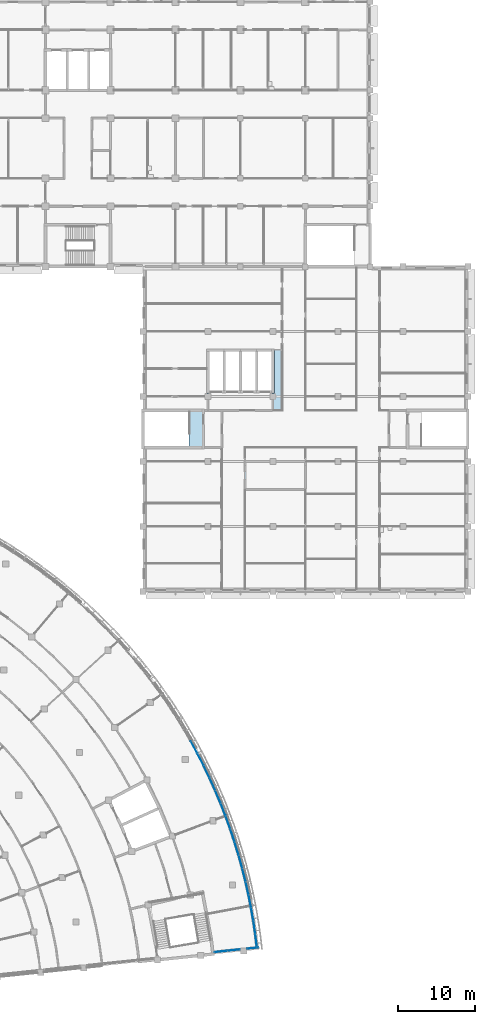
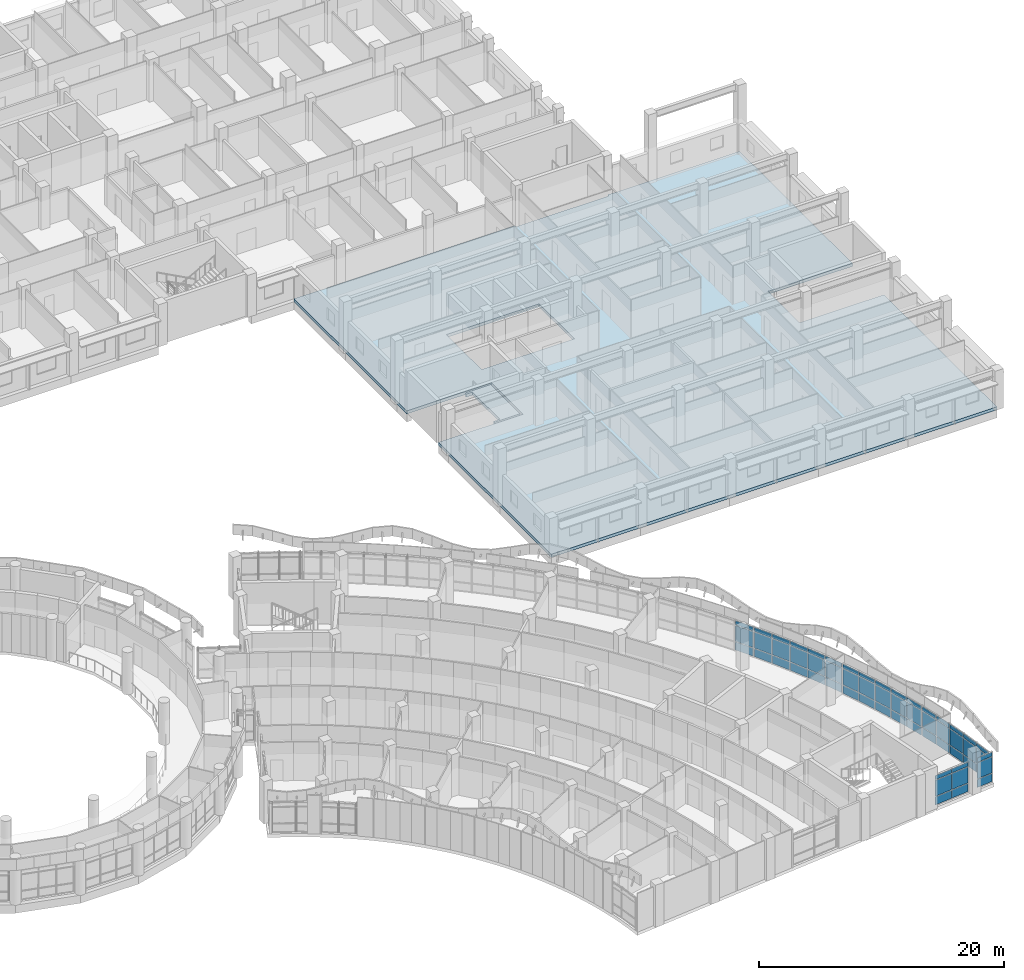
# One storey, part 42 of 109: 57 plates, 2 slabs, 6 elements without a shape of their own.
"""IFC4 building model written with IfcOpenShell, lengths in metres."""

import ifcopenshell
import ifcopenshell.guid

model = None  # the IFC model being written
_history = None  # IfcOwnerHistory: only IFC2X3 demands one
_inside = {}  # id of a spatial element -> (the spatial element, [elements in it])
_under = {}  # id of a project, library or spatial element -> (it, [spatial elements below it])
_declared = {}  # id of a project -> (the project, [libraries it declares])
_typed = {}  # id of a type object -> (the type object, [elements of that type])
_made_of = {}  # id of a material, layer set ... -> (it, [elements and type objects made of it])


def new_model(schema):
    """Start an empty IFC model of exactly this schema.

    Asked for "IFC4X3", IfcOpenShell would pick the latest addendum, in which some entities
    have other attributes; the version numbers below select the first issue.
    IFC2X3 requires an IfcOwnerHistory on every rooted entity: one is made here for all.
    """
    global model, _history
    if schema == "IFC4X3":
        model = ifcopenshell.file(schema_version=(4, 3, 0, 0))
    else:
        model = ifcopenshell.file(schema=schema)
    _inside.clear()
    _under.clear()
    _declared.clear()
    _typed.clear()
    _made_of.clear()
    _history = None
    if model.schema == "IFC2X3":
        org = make("IfcOrganization", Name="unknown")
        user = make(
            "IfcPersonAndOrganization",
            ThePerson=make("IfcPerson", FamilyName="unknown"),
            TheOrganization=org,
        )
        app = make(
            "IfcApplication",
            ApplicationDeveloper=org,
            Version="unknown",
            ApplicationFullName="unknown",
            ApplicationIdentifier="unknown",
        )
        _history = make(
            "IfcOwnerHistory",
            OwningUser=user,
            OwningApplication=app,
            ChangeAction="ADDED",
            CreationDate=0,
        )
    return model


def make(cls, **values):
    """One entity of the class cls with the attributes given. An attribute that is None is left unset."""
    return model.create_entity(
        cls, **{name: value for name, value in values.items() if value is not None}
    )


def rooted(cls, **values):
    """An entity with a GlobalId (a new one), such as an element, a storey or a relation."""
    return make(cls, GlobalId=ifcopenshell.guid.new(), OwnerHistory=_history, **values)


def si_unit(unit_type, name, prefix=None):
    """IfcSIUnit, for example si_unit("LENGTHUNIT", "METRE", prefix="MILLI")."""
    return make("IfcSIUnit", UnitType=unit_type, Prefix=prefix, Name=name)


def assignment(units):
    """IfcUnitAssignment: the units of a project."""
    return None if units is None else make("IfcUnitAssignment", Units=units)


def point(xyz):
    """IfcCartesianPoint."""
    return None if xyz is None else make("IfcCartesianPoint", Coordinates=xyz)


def direction(xyz):
    """IfcDirection."""
    return None if xyz is None else make("IfcDirection", DirectionRatios=xyz)


def frame(location, z_axis=None, x_axis=None):
    """IfcAxis2Placement3D, a coordinate frame: its origin and axes. An axis left out is left unset."""
    return make(
        "IfcAxis2Placement3D",
        Location=point(location),
        Axis=direction(z_axis),
        RefDirection=direction(x_axis),
    )


def frame_2d(location, x_axis=None):
    """IfcAxis2Placement2D, a coordinate frame in the plane: its origin and x axis."""
    return make(
        "IfcAxis2Placement2D", Location=point(location), RefDirection=direction(x_axis)
    )


def origin():
    """The frame at (0, 0, 0) with its axes left unset."""
    return frame((0.0, 0.0, 0.0))


def origin_2d():
    """The frame at (0, 0) in the plane with its x axis left unset."""
    return frame_2d((0.0, 0.0))


def place(relative_to, where):
    """IfcLocalPlacement: puts the frame where relative to a parent placement (None: the world)."""
    return make(
        "IfcLocalPlacement", PlacementRelTo=relative_to, RelativePlacement=where
    )


def context(
    kind, dimensions, precision=None, world=None, true_north=None, identifier=None
):
    """IfcGeometricRepresentationContext, for example the 3D "Model" context."""
    return make(
        "IfcGeometricRepresentationContext",
        ContextIdentifier=identifier,
        ContextType=kind,
        CoordinateSpaceDimension=dimensions,
        Precision=precision,
        WorldCoordinateSystem=world,
        TrueNorth=true_north,
    )


def subcontext(parent, identifier, kind, view, scale=None):
    """IfcGeometricRepresentationSubContext, for example "Body" below "Model"."""
    return make(
        "IfcGeometricRepresentationSubContext",
        ContextIdentifier=identifier,
        ContextType=kind,
        ParentContext=parent,
        TargetScale=scale,
        TargetView=view,
    )


def project(units=None, contexts=None):
    """IfcProject with its units and contexts."""
    return rooted(
        "IfcProject",
        Name="project",
        RepresentationContexts=contexts,
        UnitsInContext=assignment(units),
    )


def spatial(cls, under=None, at=None, **own):
    """A site, building, storey or space (cls), placed at a placement, below another one or the project."""
    s = rooted(cls, ObjectPlacement=at, **own)
    if under is not None:
        _under.setdefault(under.id(), (under, []))[1].append(s)
    return s


def polyline(points):
    """IfcPolyline through the points."""
    return make("IfcPolyline", Points=[point(p) for p in points])


def profile(cls, at=None, kind="AREA", **sizes):
    """A parametric profile (cls). Its sizes go by their IFC names, for example OverallWidth=200.0."""
    return make(cls, ProfileType=kind, Position=at, **sizes)


def rectangle(**sizes):
    """IfcRectangleProfileDef."""
    return profile("IfcRectangleProfileDef", **sizes)


def outline(outer, holes=None, kind="AREA"):
    """IfcArbitraryClosedProfileDef: a profile drawn as a closed curve; with holes, ...WithVoids."""
    if holes is None:
        return make("IfcArbitraryClosedProfileDef", ProfileType=kind, OuterCurve=outer)
    return make(
        "IfcArbitraryProfileDefWithVoids",
        ProfileType=kind,
        OuterCurve=outer,
        InnerCurves=holes,
    )


def extrude(swept, where, along, depth):
    """IfcExtrudedAreaSolid: the profile swept, set in the frame where, extruded along a direction by depth."""
    return make(
        "IfcExtrudedAreaSolid",
        SweptArea=swept,
        Position=where,
        ExtrudedDirection=direction(along),
        Depth=depth,
    )


def shape(context_of_items, identifier, shape_type, items):
    """IfcShapeRepresentation: the items that make up one representation, for example the "Body"."""
    return make(
        "IfcShapeRepresentation",
        ContextOfItems=context_of_items,
        RepresentationIdentifier=identifier,
        RepresentationType=shape_type,
        Items=items,
    )


def material(Name=None, Category=None):
    """IfcMaterial."""
    return make("IfcMaterial", Name=Name, Category=Category)


def layer(
    of_material, thickness, ventilated=None, Name=None, Category=None, Priority=None
):
    """IfcMaterialLayer: one layer of a wall or slab, of a material (None: an air gap)."""
    return make(
        "IfcMaterialLayer",
        Material=of_material,
        LayerThickness=thickness,
        IsVentilated=ventilated,
        Name=Name,
        Category=Category,
        Priority=Priority,
    )


def layer_set(layers, Name=None):
    """IfcMaterialLayerSet."""
    return make("IfcMaterialLayerSet", MaterialLayers=layers, LayerSetName=Name)


def made_of(thing, what):
    """Note that an element or type object is made of a material, layer set ...; save() writes the relation."""
    if what is not None:
        _made_of.setdefault(what.id(), (what, []))[1].append(thing)
    return thing


def type_object(cls, material=None, **own):
    """A type object (cls), such as IfcWallType, which elements share."""
    return made_of(rooted(cls, **own), material)


def element(
    cls,
    number,
    at=None,
    inside=None,
    cuts=None,
    type_object=None,
    material=None,
    context=None,
    identifier="Body",
    shape_type=None,
    held_by="IfcProductDefinitionShape",
    body=None,
    shapes=None,
    **own,
):
    """One element of the class cls, such as IfcWall. Its Tag is "e" and its number.

    at: its placement. inside: the storey or other place that contains it. cuts: it is an
    opening in that element (IfcRelVoidsElement). A single representation is given by context,
    identifier, shape_type and body (its items); several are given by shapes. held_by: the class
    of the entity that holds the representations. save() writes the other relations.
    """
    e = rooted(cls, Tag="e%d" % number, ObjectPlacement=at, **own)
    if body is not None:
        shapes = [shape(context, identifier, shape_type, body)]
    if shapes is not None:
        e.Representation = make(held_by, Representations=shapes)
    if inside is not None:
        _inside.setdefault(inside.id(), (inside, []))[1].append(e)
    if cuts is not None:
        rooted(
            "IfcRelVoidsElement", RelatingBuildingElement=cuts, RelatedOpeningElement=e
        )
    if type_object is not None:
        _typed.setdefault(type_object.id(), (type_object, []))[1].append(e)
    return made_of(e, material)


def aggregate(whole, parts):
    """IfcRelAggregates: a whole, such as a stair, and the parts it consists of."""
    return rooted("IfcRelAggregates", RelatingObject=whole, RelatedObjects=parts)


def save(model, path):
    """Write the relations noted so far, then the file.

    IfcRelAggregates (storeys below a building ...), IfcRelContainedInSpatialStructure (elements
    in a storey), IfcRelDefinesByType, IfcRelAssociatesMaterial and IfcRelDeclares: one each for
    every whole, place, type object, material and project.
    """
    for whole, parts in _under.values():
        aggregate(whole, parts)
    for where, things in _inside.values():
        rooted(
            "IfcRelContainedInSpatialStructure",
            RelatedElements=things,
            RelatingStructure=where,
        )
    for kind, things in _typed.values():
        rooted("IfcRelDefinesByType", RelatedObjects=things, RelatingType=kind)
    for what, things in _made_of.values():
        rooted("IfcRelAssociatesMaterial", RelatedObjects=things, RelatingMaterial=what)
    for by, libraries in _declared.values():
        rooted("IfcRelDeclares", RelatingContext=by, RelatedDefinitions=libraries)
    model.write(path)


model = new_model("IFC4")

# Units and contexts
model_context = context("Model", 3, precision=1e-05, world=origin(), true_north=direction((0.0, 1.0)))
body_context = subcontext(model_context, "Body", "Model", "MODEL_VIEW")
ifc_project = project(units=[si_unit("LENGTHUNIT", "METRE"), si_unit("AREAUNIT", "SQUARE_METRE"), si_unit("VOLUMEUNIT", "CUBIC_METRE"), si_unit("PLANEANGLEUNIT", "RADIAN"), si_unit("MASSUNIT", "GRAM", prefix="KILO")], contexts=[model_context])

# Site, building, storey
site_placement = place(None, origin())
site = spatial("IfcSite", under=ifc_project, at=site_placement, CompositionType="ELEMENT")
building_placement = place(site_placement, origin())
building = spatial("IfcBuilding", under=site, at=building_placement, Name="Bougainvillea Quay General Hospital", CompositionType="ELEMENT")
storey_placement = place(building_placement, frame((0.0, 0.0, 12.60009765625)))
storey = spatial("IfcBuildingStorey", under=building, at=storey_placement, Name="L02", CompositionType="ELEMENT", Elevation=12.60009765625)

# Curtain wall, plates
ifc_material_1 = material(Name="Aluminium curtain wall system, powder-coated glazed", Category="aluminium")
curtain_wall_type_1 = type_object("IfcCurtainWallType", Name="Unitised curtain wall CW-1703", PredefinedType="NOTDEFINED", material=ifc_material_1)
curtain_wall_1_placement = place(storey_placement, origin())
curtain_wall_1 = element("IfcCurtainWall", 1, at=curtain_wall_1_placement, inside=storey, type_object=curtain_wall_type_1, Name="CW-AE 04", PredefinedType="NOTDEFINED")
ifc_material_2 = material(Name="Insulated aluminium spandrel panel, white", Category="aluminium")
ifc_layer_1 = layer(ifc_material_2, 0.028076171875)
ifc_layer_set_1 = layer_set([ifc_layer_1], Name="Insulated aluminium spandrel panel, white")
plate_type_1 = type_object("IfcPlateType", Name="Insulated spandrel panel white 28", PredefinedType="CURTAIN_PANEL", material=ifc_layer_set_1)
plate_1_placement = place(storey_placement, frame((173.85888671875, 29.04736328125, 0.059814453125), z_axis=(0.0, 0.0, 1.0), x_axis=(0.9945220309, 0.104527173765, 0.0)))
plate_1 = element("IfcPlate", 2, at=plate_1_placement, type_object=plate_type_1, Name="CW-AE spandrel panel 1.1", PredefinedType="CURTAIN_PANEL", context=body_context, shape_type="SweptSolid", body=[
    extrude(rectangle(XDim=1.612548828125, YDim=0.028076171875, at=origin_2d()), origin(), (0.0, 0.0, 1.0), 0.81005859375),
])
plate_2_placement = place(storey_placement, frame((173.85888671875, 29.04736328125, 2.580078125), z_axis=(0.0, 0.0, 1.0), x_axis=(0.9945220309, 0.104527173765, 0.0)))
plate_2 = element("IfcPlate", 3, at=plate_2_placement, type_object=plate_type_1, Name="CW-AE spandrel panel 1.3", PredefinedType="CURTAIN_PANEL", context=body_context, shape_type="SweptSolid", body=[
    extrude(rectangle(XDim=1.612548828125, YDim=0.028076171875, at=origin_2d()), origin(), (0.0, 0.0, 1.0), 0.409912109375),
])
plate_3_placement = place(storey_placement, frame((175.522216796875, 29.22216796875, 0.059814453125), z_axis=(0.0, 0.0, 1.0), x_axis=(0.9945220309, 0.104527173765, 0.0)))
plate_3 = element("IfcPlate", 4, at=plate_3_placement, type_object=plate_type_1, Name="CW-AE spandrel panel 2.1", PredefinedType="CURTAIN_PANEL", context=body_context, shape_type="SweptSolid", body=[
    extrude(rectangle(XDim=1.612548828125, YDim=0.028076171875, at=origin_2d()), origin(), (0.0, 0.0, 1.0), 0.81005859375),
])
plate_4_placement = place(storey_placement, frame((175.522216796875, 29.22216796875, 2.580078125), z_axis=(0.0, 0.0, 1.0), x_axis=(0.9945220309, 0.104527173765, 0.0)))
plate_4 = element("IfcPlate", 5, at=plate_4_placement, type_object=plate_type_1, Name="CW-AE spandrel panel 2.3", PredefinedType="CURTAIN_PANEL", context=body_context, shape_type="SweptSolid", body=[
    extrude(rectangle(XDim=1.612548828125, YDim=0.028076171875, at=origin_2d()), origin(), (0.0, 0.0, 1.0), 0.409912109375),
])

curtain_wall_type_2 = type_object("IfcCurtainWallType", Name="Unitised curtain wall CW-1581", PredefinedType="NOTDEFINED", material=ifc_material_1)
curtain_wall_2_placement = place(storey_placement, origin())
curtain_wall_2 = element("IfcCurtainWall", 6, at=curtain_wall_2_placement, inside=storey, type_object=curtain_wall_type_2, Name="CW-AE 05", PredefinedType="NOTDEFINED")
plate_5_placement = place(storey_placement, frame((178.0048828125, 29.48291015625, 0.059814453125), z_axis=(0.0, 0.0, 1.0), x_axis=(0.9945220309, 0.104527173765, 0.0)))
plate_5 = element("IfcPlate", 7, at=plate_5_placement, type_object=plate_type_1, Name="CW-AE spandrel panel 1.1", PredefinedType="CURTAIN_PANEL", context=body_context, shape_type="SweptSolid", body=[
    extrude(rectangle(XDim=1.46044921875, YDim=0.028076171875, at=origin_2d()), origin(), (0.0, 0.0, 1.0), 0.81005859375),
])
plate_6_placement = place(storey_placement, frame((178.0048828125, 29.48291015625, 2.580078125), z_axis=(0.0, 0.0, 1.0), x_axis=(0.9945220309, 0.104527173765, 0.0)))
plate_6 = element("IfcPlate", 8, at=plate_6_placement, type_object=plate_type_1, Name="CW-AE spandrel panel 1.3", PredefinedType="CURTAIN_PANEL", context=body_context, shape_type="SweptSolid", body=[
    extrude(rectangle(XDim=1.46044921875, YDim=0.028076171875, at=origin_2d()), origin(), (0.0, 0.0, 1.0), 0.409912109375),
])

curtain_wall_type_3 = type_object("IfcCurtainWallType", Name="Unitised curtain wall CW-2100", PredefinedType="NOTDEFINED", material=ifc_material_1)
curtain_wall_3_placement = place(storey_placement, origin())
curtain_wall_3 = element("IfcCurtainWall", 9, at=curtain_wall_3_placement, inside=storey, type_object=curtain_wall_type_3, Name="CW-E05 a23b4", PredefinedType="NOTDEFINED")
plate_7_placement = place(storey_placement, frame((170.385986328125, 55.4755859375, 0.059814453125), z_axis=(0.0, 0.0, 1.0), x_axis=(0.479782535044, -0.877387439543, 0.0)))
plate_7 = element("IfcPlate", 10, at=plate_7_placement, type_object=plate_type_1, Name="CW-E05 spandrel panel 5.1", PredefinedType="CURTAIN_PANEL", context=body_context, shape_type="SweptSolid", body=[
    extrude(rectangle(XDim=1.690185546875, YDim=0.028076171875, at=origin_2d()), origin(), (0.0, 0.0, 1.0), 0.81005859375),
])
plate_8_placement = place(storey_placement, frame((170.385986328125, 55.4755859375, 2.580078125), z_axis=(0.0, 0.0, 1.0), x_axis=(0.479782535044, -0.877387439543, 0.0)))
plate_8 = element("IfcPlate", 11, at=plate_8_placement, type_object=plate_type_1, Name="CW-E05 spandrel panel 5.3", PredefinedType="CURTAIN_PANEL", context=body_context, shape_type="SweptSolid", body=[
    extrude(rectangle(XDim=1.690185546875, YDim=0.028076171875, at=origin_2d()), origin(), (0.0, 0.0, 1.0), 0.409912109375),
])

curtain_wall_4_placement = place(storey_placement, origin())
curtain_wall_4 = element("IfcCurtainWall", 12, at=curtain_wall_4_placement, inside=storey, type_object=curtain_wall_type_3, Name="CW-E06 a23b5", PredefinedType="NOTDEFINED")
plate_9_placement = place(storey_placement, frame((171.234130859375, 53.87646484375, 0.059814453125), z_axis=(0.0, 0.0, 1.0), x_axis=(0.457234526215, -0.889346157599, 0.0)))
plate_9 = element("IfcPlate", 13, at=plate_9_placement, type_object=plate_type_1, Name="CW-E06 spandrel panel 1.1", PredefinedType="CURTAIN_PANEL", context=body_context, shape_type="SweptSolid", body=[
    extrude(rectangle(XDim=1.690185546875, YDim=0.028076171875, at=origin_2d()), origin(), (0.0, 0.0, 1.0), 0.81005859375),
])
plate_10_placement = place(storey_placement, frame((171.234130859375, 53.87646484375, 2.580078125), z_axis=(0.0, 0.0, 1.0), x_axis=(0.457234526215, -0.889346157599, 0.0)))
plate_10 = element("IfcPlate", 14, at=plate_10_placement, type_object=plate_type_1, Name="CW-E06 spandrel panel 1.3", PredefinedType="CURTAIN_PANEL", context=body_context, shape_type="SweptSolid", body=[
    extrude(rectangle(XDim=1.690185546875, YDim=0.028076171875, at=origin_2d()), origin(), (0.0, 0.0, 1.0), 0.409912109375),
])
plate_11_placement = place(storey_placement, frame((172.02099609375, 52.29638671875, 0.059814453125), z_axis=(0.0, 0.0, 1.0), x_axis=(0.434388664007, -0.900725534545, 0.0)))
plate_11 = element("IfcPlate", 15, at=plate_11_placement, type_object=plate_type_1, Name="CW-E06 spandrel panel 2.1", PredefinedType="CURTAIN_PANEL", context=body_context, shape_type="SweptSolid", body=[
    extrude(rectangle(XDim=1.72021484375, YDim=0.028076171875, at=origin_2d()), origin(), (0.0, 0.0, 1.0), 0.81005859375),
])
plate_12_placement = place(storey_placement, frame((172.02099609375, 52.29638671875, 2.580078125), z_axis=(0.0, 0.0, 1.0), x_axis=(0.434388664007, -0.900725534545, 0.0)))
plate_12 = element("IfcPlate", 16, at=plate_12_placement, type_object=plate_type_1, Name="CW-E06 spandrel panel 2.3", PredefinedType="CURTAIN_PANEL", context=body_context, shape_type="SweptSolid", body=[
    extrude(rectangle(XDim=1.72021484375, YDim=0.028076171875, at=origin_2d()), origin(), (0.0, 0.0, 1.0), 0.409912109375),
])
plate_13_placement = place(storey_placement, frame((172.773681640625, 50.683349609375, 0.059814453125), z_axis=(0.0, 0.0, 1.0), x_axis=(0.411259830755, -0.911518157585, 0.0)))
plate_13 = element("IfcPlate", 17, at=plate_13_placement, type_object=plate_type_1, Name="CW-E06 spandrel panel 3.1", PredefinedType="CURTAIN_PANEL", context=body_context, shape_type="SweptSolid", body=[
    extrude(rectangle(XDim=1.72021484375, YDim=0.028076171875, at=origin_2d()), origin(), (0.0, 0.0, 1.0), 0.81005859375),
])
plate_14_placement = place(storey_placement, frame((172.773681640625, 50.683349609375, 2.580078125), z_axis=(0.0, 0.0, 1.0), x_axis=(0.411259830755, -0.911518157585, 0.0)))
plate_14 = element("IfcPlate", 18, at=plate_14_placement, type_object=plate_type_1, Name="CW-E06 spandrel panel 3.3", PredefinedType="CURTAIN_PANEL", context=body_context, shape_type="SweptSolid", body=[
    extrude(rectangle(XDim=1.72021484375, YDim=0.028076171875, at=origin_2d()), origin(), (0.0, 0.0, 1.0), 0.409912109375),
])
plate_15_placement = place(storey_placement, frame((173.48486328125, 49.051513671875, 0.059814453125), z_axis=(0.0, 0.0, 1.0), x_axis=(0.387863093127, -0.921716996149, 0.0)))
plate_15 = element("IfcPlate", 19, at=plate_15_placement, type_object=plate_type_1, Name="CW-E06 spandrel panel 4.1", PredefinedType="CURTAIN_PANEL", context=body_context, shape_type="SweptSolid", body=[
    extrude(rectangle(XDim=1.72021484375, YDim=0.028076171875, at=origin_2d()), origin(), (0.0, 0.0, 1.0), 0.81005859375),
])
plate_16_placement = place(storey_placement, frame((173.48486328125, 49.051513671875, 2.580078125), z_axis=(0.0, 0.0, 1.0), x_axis=(0.387863093127, -0.921716996149, 0.0)))
plate_16 = element("IfcPlate", 20, at=plate_16_placement, type_object=plate_type_1, Name="CW-E06 spandrel panel 4.3", PredefinedType="CURTAIN_PANEL", context=body_context, shape_type="SweptSolid", body=[
    extrude(rectangle(XDim=1.72021484375, YDim=0.028076171875, at=origin_2d()), origin(), (0.0, 0.0, 1.0), 0.409912109375),
])
plate_17_placement = place(storey_placement, frame((174.14892578125, 47.416015625, 0.059814453125), z_axis=(0.0, 0.0, 1.0), x_axis=(0.364213692311, -0.931315406472, 0.0)))
plate_17 = element("IfcPlate", 21, at=plate_17_placement, type_object=plate_type_1, Name="CW-E06 spandrel panel 5.1", PredefinedType="CURTAIN_PANEL", context=body_context, shape_type="SweptSolid", body=[
    extrude(rectangle(XDim=1.690185546875, YDim=0.028076171875, at=origin_2d()), origin(), (0.0, 0.0, 1.0), 0.81005859375),
])
plate_18_placement = place(storey_placement, frame((174.14892578125, 47.416015625, 2.580078125), z_axis=(0.0, 0.0, 1.0), x_axis=(0.364213692311, -0.931315406472, 0.0)))
plate_18 = element("IfcPlate", 22, at=plate_18_placement, type_object=plate_type_1, Name="CW-E06 spandrel panel 5.3", PredefinedType="CURTAIN_PANEL", context=body_context, shape_type="SweptSolid", body=[
    extrude(rectangle(XDim=1.690185546875, YDim=0.028076171875, at=origin_2d()), origin(), (0.0, 0.0, 1.0), 0.409912109375),
])

curtain_wall_5_placement = place(storey_placement, origin())
curtain_wall_5 = element("IfcCurtainWall", 23, at=curtain_wall_5_placement, inside=storey, type_object=curtain_wall_type_3, Name="CW-E07 a23b6", PredefinedType="NOTDEFINED")
plate_19_placement = place(storey_placement, frame((174.78662109375, 45.721923828125, 0.059814453125), z_axis=(0.0, 0.0, 1.0), x_axis=(0.340327034086, -0.940307135924, 0.0)))
plate_19 = element("IfcPlate", 24, at=plate_19_placement, type_object=plate_type_1, Name="CW-E07 spandrel panel 1.1", PredefinedType="CURTAIN_PANEL", context=body_context, shape_type="SweptSolid", body=[
    extrude(rectangle(XDim=1.690185546875, YDim=0.028076171875, at=origin_2d()), origin(), (0.0, 0.0, 1.0), 0.81005859375),
])
plate_20_placement = place(storey_placement, frame((174.78662109375, 45.721923828125, 2.580078125), z_axis=(0.0, 0.0, 1.0), x_axis=(0.340327034086, -0.940307135924, 0.0)))
plate_20 = element("IfcPlate", 25, at=plate_20_placement, type_object=plate_type_1, Name="CW-E07 spandrel panel 1.3", PredefinedType="CURTAIN_PANEL", context=body_context, shape_type="SweptSolid", body=[
    extrude(rectangle(XDim=1.690185546875, YDim=0.028076171875, at=origin_2d()), origin(), (0.0, 0.0, 1.0), 0.409912109375),
])
plate_21_placement = place(storey_placement, frame((175.365966796875, 44.0546875, 0.059814453125), z_axis=(0.0, 0.0, 1.0), x_axis=(0.316218678786, -0.948686327079, 0.0)))
plate_21 = element("IfcPlate", 26, at=plate_21_placement, type_object=plate_type_1, Name="CW-E07 spandrel panel 2.1", PredefinedType="CURTAIN_PANEL", context=body_context, shape_type="SweptSolid", body=[
    extrude(rectangle(XDim=1.72021484375, YDim=0.028076171875, at=origin_2d()), origin(), (0.0, 0.0, 1.0), 0.81005859375),
])
plate_22_placement = place(storey_placement, frame((175.365966796875, 44.0546875, 2.580078125), z_axis=(0.0, 0.0, 1.0), x_axis=(0.316218678786, -0.948686327079, 0.0)))
plate_22 = element("IfcPlate", 27, at=plate_22_placement, type_object=plate_type_1, Name="CW-E07 spandrel panel 2.3", PredefinedType="CURTAIN_PANEL", context=body_context, shape_type="SweptSolid", body=[
    extrude(rectangle(XDim=1.72021484375, YDim=0.028076171875, at=origin_2d()), origin(), (0.0, 0.0, 1.0), 0.409912109375),
])
plate_23_placement = place(storey_placement, frame((175.9072265625, 42.35888671875, 0.059814453125), z_axis=(0.0, 0.0, 1.0), x_axis=(0.291904331163, -0.956447521534, 0.0)))
plate_23 = element("IfcPlate", 28, at=plate_23_placement, type_object=plate_type_1, Name="CW-E07 spandrel panel 3.1", PredefinedType="CURTAIN_PANEL", context=body_context, shape_type="SweptSolid", body=[
    extrude(rectangle(XDim=1.72021484375, YDim=0.028076171875, at=origin_2d()), origin(), (0.0, 0.0, 1.0), 0.81005859375),
])
plate_24_placement = place(storey_placement, frame((175.9072265625, 42.35888671875, 2.580078125), z_axis=(0.0, 0.0, 1.0), x_axis=(0.291904331163, -0.956447521534, 0.0)))
plate_24 = element("IfcPlate", 29, at=plate_24_placement, type_object=plate_type_1, Name="CW-E07 spandrel panel 3.3", PredefinedType="CURTAIN_PANEL", context=body_context, shape_type="SweptSolid", body=[
    extrude(rectangle(XDim=1.72021484375, YDim=0.028076171875, at=origin_2d()), origin(), (0.0, 0.0, 1.0), 0.409912109375),
])
plate_25_placement = place(storey_placement, frame((176.405029296875, 40.649658203125, 0.059814453125), z_axis=(0.0, 0.0, 1.0), x_axis=(0.267399830158, -0.963585663463, 0.0)))
plate_25 = element("IfcPlate", 30, at=plate_25_placement, type_object=plate_type_1, Name="CW-E07 spandrel panel 4.1", PredefinedType="CURTAIN_PANEL", context=body_context, shape_type="SweptSolid", body=[
    extrude(rectangle(XDim=1.72021484375, YDim=0.028076171875, at=origin_2d()), origin(), (0.0, 0.0, 1.0), 0.81005859375),
])
plate_26_placement = place(storey_placement, frame((176.405029296875, 40.649658203125, 2.580078125), z_axis=(0.0, 0.0, 1.0), x_axis=(0.267399830158, -0.963585663463, 0.0)))
plate_26 = element("IfcPlate", 31, at=plate_26_placement, type_object=plate_type_1, Name="CW-E07 spandrel panel 4.3", PredefinedType="CURTAIN_PANEL", context=body_context, shape_type="SweptSolid", body=[
    extrude(rectangle(XDim=1.72021484375, YDim=0.028076171875, at=origin_2d()), origin(), (0.0, 0.0, 1.0), 0.409912109375),
])
plate_27_placement = place(storey_placement, frame((176.85546875, 38.943115234375, 0.059814453125), z_axis=(0.0, 0.0, 1.0), x_axis=(0.242721138583, -0.970096102912, 0.0)))
plate_27 = element("IfcPlate", 32, at=plate_27_placement, type_object=plate_type_1, Name="CW-E07 spandrel panel 5.1", PredefinedType="CURTAIN_PANEL", context=body_context, shape_type="SweptSolid", body=[
    extrude(rectangle(XDim=1.690185546875, YDim=0.028076171875, at=origin_2d()), origin(), (0.0, 0.0, 1.0), 0.81005859375),
])
plate_28_placement = place(storey_placement, frame((176.85546875, 38.943115234375, 2.580078125), z_axis=(0.0, 0.0, 1.0), x_axis=(0.242721138583, -0.970096102912, 0.0)))
plate_28 = element("IfcPlate", 33, at=plate_28_placement, type_object=plate_type_1, Name="CW-E07 spandrel panel 5.3", PredefinedType="CURTAIN_PANEL", context=body_context, shape_type="SweptSolid", body=[
    extrude(rectangle(XDim=1.690185546875, YDim=0.028076171875, at=origin_2d()), origin(), (0.0, 0.0, 1.0), 0.409912109375),
])

curtain_wall_6_placement = place(storey_placement, origin())
curtain_wall_6 = element("IfcCurtainWall", 34, at=curtain_wall_6_placement, inside=storey, type_object=curtain_wall_type_3, Name="CW-E08 a23b7", PredefinedType="NOTDEFINED")
plate_29_placement = place(storey_placement, frame((177.265625, 37.21435546875, 0.059814453125), z_axis=(0.0, 0.0, 1.0), x_axis=(0.218351478204, -0.97587019217, 0.0)))
plate_29 = element("IfcPlate", 35, at=plate_29_placement, type_object=plate_type_1, Name="CW-E08 spandrel panel 1.1", PredefinedType="CURTAIN_PANEL", context=body_context, shape_type="SweptSolid", body=[
    extrude(rectangle(XDim=1.62353515625, YDim=0.028076171875, at=origin_2d()), origin(), (0.0, 0.0, 1.0), 0.81005859375),
])
plate_30_placement = place(storey_placement, frame((177.265625, 37.21435546875, 2.580078125), z_axis=(0.0, 0.0, 1.0), x_axis=(0.218351478204, -0.97587019217, 0.0)))
plate_30 = element("IfcPlate", 36, at=plate_30_placement, type_object=plate_type_1, Name="CW-E08 spandrel panel 1.3", PredefinedType="CURTAIN_PANEL", context=body_context, shape_type="SweptSolid", body=[
    extrude(rectangle(XDim=1.62353515625, YDim=0.028076171875, at=origin_2d()), origin(), (0.0, 0.0, 1.0), 0.409912109375),
])
plate_31_placement = place(storey_placement, frame((177.61572265625, 35.552490234375, 0.059814453125), z_axis=(0.0, 0.0, 1.0), x_axis=(0.194314432457, -0.98093929544, 0.0)))
plate_31 = element("IfcPlate", 37, at=plate_31_placement, type_object=plate_type_1, Name="CW-E08 spandrel panel 2.1", PredefinedType="CURTAIN_PANEL", context=body_context, shape_type="SweptSolid", body=[
    extrude(rectangle(XDim=1.653564453125, YDim=0.028076171875, at=origin_2d()), origin(), (0.0, 0.0, 1.0), 0.81005859375),
])
plate_32_placement = place(storey_placement, frame((177.61572265625, 35.552490234375, 2.580078125), z_axis=(0.0, 0.0, 1.0), x_axis=(0.194314432457, -0.98093929544, 0.0)))
plate_32 = element("IfcPlate", 38, at=plate_32_placement, type_object=plate_type_1, Name="CW-E08 spandrel panel 2.3", PredefinedType="CURTAIN_PANEL", context=body_context, shape_type="SweptSolid", body=[
    extrude(rectangle(XDim=1.653564453125, YDim=0.028076171875, at=origin_2d()), origin(), (0.0, 0.0, 1.0), 0.409912109375),
])
plate_33_placement = place(storey_placement, frame((177.927978515625, 33.867919921875, 0.059814453125), z_axis=(0.0, 0.0, 1.0), x_axis=(0.170160122734, -0.985416426, 0.0)))
plate_33 = element("IfcPlate", 39, at=plate_33_placement, type_object=plate_type_1, Name="CW-E08 spandrel panel 3.1", PredefinedType="CURTAIN_PANEL", context=body_context, shape_type="SweptSolid", body=[
    extrude(rectangle(XDim=1.653564453125, YDim=0.028076171875, at=origin_2d()), origin(), (0.0, 0.0, 1.0), 0.81005859375),
])
plate_34_placement = place(storey_placement, frame((177.927978515625, 33.867919921875, 2.580078125), z_axis=(0.0, 0.0, 1.0), x_axis=(0.170160122734, -0.985416426, 0.0)))
plate_34 = element("IfcPlate", 40, at=plate_34_placement, type_object=plate_type_1, Name="CW-E08 spandrel panel 3.3", PredefinedType="CURTAIN_PANEL", context=body_context, shape_type="SweptSolid", body=[
    extrude(rectangle(XDim=1.653564453125, YDim=0.028076171875, at=origin_2d()), origin(), (0.0, 0.0, 1.0), 0.409912109375),
])
plate_35_placement = place(storey_placement, frame((178.19873046875, 32.176025390625, 0.059814453125), z_axis=(0.0, 0.0, 1.0), x_axis=(0.145903125567, -0.989298882012, 0.0)))
plate_35 = element("IfcPlate", 41, at=plate_35_placement, type_object=plate_type_1, Name="CW-E08 spandrel panel 4.1", PredefinedType="CURTAIN_PANEL", context=body_context, shape_type="SweptSolid", body=[
    extrude(rectangle(XDim=1.653564453125, YDim=0.028076171875, at=origin_2d()), origin(), (0.0, 0.0, 1.0), 0.81005859375),
])
plate_36_placement = place(storey_placement, frame((178.19873046875, 32.176025390625, 2.580078125), z_axis=(0.0, 0.0, 1.0), x_axis=(0.145903125567, -0.989298882012, 0.0)))
plate_36 = element("IfcPlate", 42, at=plate_36_placement, type_object=plate_type_1, Name="CW-E08 spandrel panel 4.3", PredefinedType="CURTAIN_PANEL", context=body_context, shape_type="SweptSolid", body=[
    extrude(rectangle(XDim=1.653564453125, YDim=0.028076171875, at=origin_2d()), origin(), (0.0, 0.0, 1.0), 0.409912109375),
])
plate_37_placement = place(storey_placement, frame((178.42626953125, 30.492919921875, 0.059814453125), z_axis=(0.0, 0.0, 1.0), x_axis=(0.121558079457, -0.992584320508, 0.0)))
plate_37 = element("IfcPlate", 43, at=plate_37_placement, type_object=plate_type_1, Name="CW-E08 spandrel panel 5.1", PredefinedType="CURTAIN_PANEL", context=body_context, shape_type="SweptSolid", body=[
    extrude(rectangle(XDim=1.62353515625, YDim=0.028076171875, at=origin_2d()), origin(), (0.0, 0.0, 1.0), 0.81005859375),
])
plate_38_placement = place(storey_placement, frame((178.42626953125, 30.492919921875, 2.580078125), z_axis=(0.0, 0.0, 1.0), x_axis=(0.121558079457, -0.992584320508, 0.0)))
plate_38 = element("IfcPlate", 44, at=plate_38_placement, type_object=plate_type_1, Name="CW-E08 spandrel panel 5.3", PredefinedType="CURTAIN_PANEL", context=body_context, shape_type="SweptSolid", body=[
    extrude(rectangle(XDim=1.62353515625, YDim=0.028076171875, at=origin_2d()), origin(), (0.0, 0.0, 1.0), 0.409912109375),
])

# Plate
ifc_material_3 = material(Name="Low-e laminated glass, solar control", Category="glass")
ifc_layer_2 = layer(ifc_material_3, 0.028076171875)
ifc_layer_set_2 = layer_set([ifc_layer_2], Name="Low-e laminated glass, solar control")
plate_type_2 = type_object("IfcPlateType", Name="Low-e laminated vision glass 28", PredefinedType="CURTAIN_PANEL", material=ifc_layer_set_2)
plate_39_placement = place(storey_placement, frame((173.85888671875, 29.04736328125, 0.9296875), z_axis=(0.0, 0.0, 1.0), x_axis=(0.9945220309, 0.104527173765, 0.0)))
plate_39 = element("IfcPlate", 45, at=plate_39_placement, type_object=plate_type_2, Name="CW-AE vision glass panel 1.2", PredefinedType="CURTAIN_PANEL", context=body_context, shape_type="SweptSolid", body=[
    extrude(rectangle(XDim=1.612548828125, YDim=0.028076171875, at=origin_2d()), origin(), (0.0, 0.0, 1.0), 1.590087890625),
])

plate_40_placement = place(storey_placement, frame((175.522216796875, 29.22216796875, 0.9296875), z_axis=(0.0, 0.0, 1.0), x_axis=(0.9945220309, 0.104527173765, 0.0)))
plate_40 = element("IfcPlate", 46, at=plate_40_placement, type_object=plate_type_2, Name="CW-AE vision glass panel 2.2", PredefinedType="CURTAIN_PANEL", context=body_context, shape_type="SweptSolid", body=[
    extrude(rectangle(XDim=1.612548828125, YDim=0.028076171875, at=origin_2d()), origin(), (0.0, 0.0, 1.0), 1.590087890625),
])

aggregate(curtain_wall_1, [plate_1, plate_39, plate_2, plate_3, plate_40, plate_4])

plate_41_placement = place(storey_placement, frame((178.0048828125, 29.48291015625, 0.9296875), z_axis=(0.0, 0.0, 1.0), x_axis=(0.9945220309, 0.104527173765, 0.0)))
plate_41 = element("IfcPlate", 47, at=plate_41_placement, type_object=plate_type_2, Name="CW-AE vision glass panel 1.2", PredefinedType="CURTAIN_PANEL", context=body_context, shape_type="SweptSolid", body=[
    extrude(rectangle(XDim=1.46044921875, YDim=0.028076171875, at=origin_2d()), origin(), (0.0, 0.0, 1.0), 1.590087890625),
])

aggregate(curtain_wall_2, [plate_5, plate_41, plate_6])

plate_42_placement = place(storey_placement, frame((170.385986328125, 55.4755859375, 0.9296875), z_axis=(0.0, 0.0, 1.0), x_axis=(0.479782535044, -0.877387439543, 0.0)))
plate_42 = element("IfcPlate", 48, at=plate_42_placement, type_object=plate_type_2, Name="CW-E05 vision glass panel 5.2", PredefinedType="CURTAIN_PANEL", context=body_context, shape_type="SweptSolid", body=[
    extrude(rectangle(XDim=1.690185546875, YDim=0.028076171875, at=origin_2d()), origin(), (0.0, 0.0, 1.0), 1.590087890625),
])

aggregate(curtain_wall_3, [plate_7, plate_42, plate_8])

plate_43_placement = place(storey_placement, frame((171.234130859375, 53.87646484375, 0.9296875), z_axis=(0.0, 0.0, 1.0), x_axis=(0.457234526215, -0.889346157599, 0.0)))
plate_43 = element("IfcPlate", 49, at=plate_43_placement, type_object=plate_type_2, Name="CW-E06 vision glass panel 1.2", PredefinedType="CURTAIN_PANEL", context=body_context, shape_type="SweptSolid", body=[
    extrude(rectangle(XDim=1.690185546875, YDim=0.028076171875, at=origin_2d()), origin(), (0.0, 0.0, 1.0), 1.590087890625),
])

plate_44_placement = place(storey_placement, frame((172.02099609375, 52.29638671875, 0.9296875), z_axis=(0.0, 0.0, 1.0), x_axis=(0.434388664007, -0.900725534545, 0.0)))
plate_44 = element("IfcPlate", 50, at=plate_44_placement, type_object=plate_type_2, Name="CW-E06 vision glass panel 2.2", PredefinedType="CURTAIN_PANEL", context=body_context, shape_type="SweptSolid", body=[
    extrude(rectangle(XDim=1.72021484375, YDim=0.028076171875, at=origin_2d()), origin(), (0.0, 0.0, 1.0), 1.590087890625),
])

plate_45_placement = place(storey_placement, frame((172.773681640625, 50.683349609375, 0.9296875), z_axis=(0.0, 0.0, 1.0), x_axis=(0.411259830755, -0.911518157585, 0.0)))
plate_45 = element("IfcPlate", 51, at=plate_45_placement, type_object=plate_type_2, Name="CW-E06 vision glass panel 3.2", PredefinedType="CURTAIN_PANEL", context=body_context, shape_type="SweptSolid", body=[
    extrude(rectangle(XDim=1.72021484375, YDim=0.028076171875, at=origin_2d()), origin(), (0.0, 0.0, 1.0), 1.590087890625),
])

plate_46_placement = place(storey_placement, frame((173.48486328125, 49.051513671875, 0.9296875), z_axis=(0.0, 0.0, 1.0), x_axis=(0.387863093127, -0.921716996149, 0.0)))
plate_46 = element("IfcPlate", 52, at=plate_46_placement, type_object=plate_type_2, Name="CW-E06 vision glass panel 4.2", PredefinedType="CURTAIN_PANEL", context=body_context, shape_type="SweptSolid", body=[
    extrude(rectangle(XDim=1.72021484375, YDim=0.028076171875, at=origin_2d()), origin(), (0.0, 0.0, 1.0), 1.590087890625),
])

plate_47_placement = place(storey_placement, frame((174.14892578125, 47.416015625, 0.9296875), z_axis=(0.0, 0.0, 1.0), x_axis=(0.364213692311, -0.931315406472, 0.0)))
plate_47 = element("IfcPlate", 53, at=plate_47_placement, type_object=plate_type_2, Name="CW-E06 vision glass panel 5.2", PredefinedType="CURTAIN_PANEL", context=body_context, shape_type="SweptSolid", body=[
    extrude(rectangle(XDim=1.690185546875, YDim=0.028076171875, at=origin_2d()), origin(), (0.0, 0.0, 1.0), 1.590087890625),
])

aggregate(curtain_wall_4, [plate_9, plate_43, plate_10, plate_11, plate_44, plate_12, plate_13, plate_45, plate_14, plate_15, plate_46, plate_16, plate_17, plate_47, plate_18])

plate_48_placement = place(storey_placement, frame((174.78662109375, 45.721923828125, 0.9296875), z_axis=(0.0, 0.0, 1.0), x_axis=(0.340327034086, -0.940307135924, 0.0)))
plate_48 = element("IfcPlate", 54, at=plate_48_placement, type_object=plate_type_2, Name="CW-E07 vision glass panel 1.2", PredefinedType="CURTAIN_PANEL", context=body_context, shape_type="SweptSolid", body=[
    extrude(rectangle(XDim=1.690185546875, YDim=0.028076171875, at=origin_2d()), origin(), (0.0, 0.0, 1.0), 1.590087890625),
])

plate_49_placement = place(storey_placement, frame((175.365966796875, 44.0546875, 0.9296875), z_axis=(0.0, 0.0, 1.0), x_axis=(0.316218678786, -0.948686327079, 0.0)))
plate_49 = element("IfcPlate", 55, at=plate_49_placement, type_object=plate_type_2, Name="CW-E07 vision glass panel 2.2", PredefinedType="CURTAIN_PANEL", context=body_context, shape_type="SweptSolid", body=[
    extrude(rectangle(XDim=1.72021484375, YDim=0.028076171875, at=origin_2d()), origin(), (0.0, 0.0, 1.0), 1.590087890625),
])

plate_50_placement = place(storey_placement, frame((175.9072265625, 42.35888671875, 0.9296875), z_axis=(0.0, 0.0, 1.0), x_axis=(0.291904331163, -0.956447521534, 0.0)))
plate_50 = element("IfcPlate", 56, at=plate_50_placement, type_object=plate_type_2, Name="CW-E07 vision glass panel 3.2", PredefinedType="CURTAIN_PANEL", context=body_context, shape_type="SweptSolid", body=[
    extrude(rectangle(XDim=1.72021484375, YDim=0.028076171875, at=origin_2d()), origin(), (0.0, 0.0, 1.0), 1.590087890625),
])

plate_51_placement = place(storey_placement, frame((176.405029296875, 40.649658203125, 0.9296875), z_axis=(0.0, 0.0, 1.0), x_axis=(0.267399830158, -0.963585663463, 0.0)))
plate_51 = element("IfcPlate", 57, at=plate_51_placement, type_object=plate_type_2, Name="CW-E07 vision glass panel 4.2", PredefinedType="CURTAIN_PANEL", context=body_context, shape_type="SweptSolid", body=[
    extrude(rectangle(XDim=1.72021484375, YDim=0.028076171875, at=origin_2d()), origin(), (0.0, 0.0, 1.0), 1.590087890625),
])

plate_52_placement = place(storey_placement, frame((176.85546875, 38.943115234375, 0.9296875), z_axis=(0.0, 0.0, 1.0), x_axis=(0.242721138583, -0.970096102912, 0.0)))
plate_52 = element("IfcPlate", 58, at=plate_52_placement, type_object=plate_type_2, Name="CW-E07 vision glass panel 5.2", PredefinedType="CURTAIN_PANEL", context=body_context, shape_type="SweptSolid", body=[
    extrude(rectangle(XDim=1.690185546875, YDim=0.028076171875, at=origin_2d()), origin(), (0.0, 0.0, 1.0), 1.590087890625),
])

aggregate(curtain_wall_5, [plate_19, plate_48, plate_20, plate_21, plate_49, plate_22, plate_23, plate_50, plate_24, plate_25, plate_51, plate_26, plate_27, plate_52, plate_28])

plate_53_placement = place(storey_placement, frame((177.265625, 37.21435546875, 0.9296875), z_axis=(0.0, 0.0, 1.0), x_axis=(0.218351478204, -0.97587019217, 0.0)))
plate_53 = element("IfcPlate", 59, at=plate_53_placement, type_object=plate_type_2, Name="CW-E08 vision glass panel 1.2", PredefinedType="CURTAIN_PANEL", context=body_context, shape_type="SweptSolid", body=[
    extrude(rectangle(XDim=1.62353515625, YDim=0.028076171875, at=origin_2d()), origin(), (0.0, 0.0, 1.0), 1.590087890625),
])

plate_54_placement = place(storey_placement, frame((177.61572265625, 35.552490234375, 0.9296875), z_axis=(0.0, 0.0, 1.0), x_axis=(0.194314432457, -0.98093929544, 0.0)))
plate_54 = element("IfcPlate", 60, at=plate_54_placement, type_object=plate_type_2, Name="CW-E08 vision glass panel 2.2", PredefinedType="CURTAIN_PANEL", context=body_context, shape_type="SweptSolid", body=[
    extrude(rectangle(XDim=1.653564453125, YDim=0.028076171875, at=origin_2d()), origin(), (0.0, 0.0, 1.0), 1.590087890625),
])

plate_55_placement = place(storey_placement, frame((177.927978515625, 33.867919921875, 0.9296875), z_axis=(0.0, 0.0, 1.0), x_axis=(0.170160122734, -0.985416426, 0.0)))
plate_55 = element("IfcPlate", 61, at=plate_55_placement, type_object=plate_type_2, Name="CW-E08 vision glass panel 3.2", PredefinedType="CURTAIN_PANEL", context=body_context, shape_type="SweptSolid", body=[
    extrude(rectangle(XDim=1.653564453125, YDim=0.028076171875, at=origin_2d()), origin(), (0.0, 0.0, 1.0), 1.590087890625),
])

plate_56_placement = place(storey_placement, frame((178.19873046875, 32.176025390625, 0.9296875), z_axis=(0.0, 0.0, 1.0), x_axis=(0.145903125567, -0.989298882012, 0.0)))
plate_56 = element("IfcPlate", 62, at=plate_56_placement, type_object=plate_type_2, Name="CW-E08 vision glass panel 4.2", PredefinedType="CURTAIN_PANEL", context=body_context, shape_type="SweptSolid", body=[
    extrude(rectangle(XDim=1.653564453125, YDim=0.028076171875, at=origin_2d()), origin(), (0.0, 0.0, 1.0), 1.590087890625),
])

plate_57_placement = place(storey_placement, frame((178.42626953125, 30.492919921875, 0.9296875), z_axis=(0.0, 0.0, 1.0), x_axis=(0.121558079457, -0.992584320508, 0.0)))
plate_57 = element("IfcPlate", 63, at=plate_57_placement, type_object=plate_type_2, Name="CW-E08 vision glass panel 5.2", PredefinedType="CURTAIN_PANEL", context=body_context, shape_type="SweptSolid", body=[
    extrude(rectangle(XDim=1.62353515625, YDim=0.028076171875, at=origin_2d()), origin(), (0.0, 0.0, 1.0), 1.590087890625),
])

aggregate(curtain_wall_6, [plate_29, plate_53, plate_30, plate_31, plate_54, plate_32, plate_33, plate_55, plate_34, plate_35, plate_56, plate_36, plate_37, plate_57, plate_38])

# Slabs
ifc_material_4 = material(Name="Concrete C35", Category="concrete")
ifc_layer_3 = layer(ifc_material_4, 0.300048828125)
ifc_layer_set_3 = layer_set([ifc_layer_3], Name="Concrete C35")
slab_type = type_object("IfcSlabType", Name="RC FLAT SLAB 300 C35", PredefinedType="FLOOR", material=ifc_layer_set_3)
slab_1_placement = place(storey_placement, frame((0.0, 0.0, -0.300048828125)))
element("IfcSlab", 64, at=slab_1_placement, inside=storey, type_object=slab_type, Name="Slab S3 L02", PredefinedType="FLOOR", context=body_context, shape_type="SweptSolid", body=[
    extrude(outline(polyline([(184.625, 117.60009765625), (163.800048828125, 117.60009765625), (163.800048828125, 99.175048828125), (171.425048828125, 99.175048828125), (171.77490234375, 99.175048828125), (171.77490234375, 94.02490234375), (171.425048828125, 94.02490234375), (163.97509765625, 94.02490234375), (163.800048828125, 94.02490234375), (163.800048828125, 75.60009765625), (205.800048828125, 75.60009765625), (205.800048828125, 94.02490234375), (205.625, 94.02490234375), (198.175048828125, 94.02490234375), (197.824951171875, 94.02490234375), (197.824951171875, 98.824951171875), (197.824951171875, 99.175048828125), (205.625, 99.175048828125), (205.800048828125, 99.175048828125), (205.800048828125, 117.60009765625), (193.375, 117.60009765625), (193.375, 117.425048828125), (193.02490234375, 117.425048828125), (184.97509765625, 117.425048828125), (184.625, 117.425048828125), (184.625, 117.60009765625)]), holes=[polyline([(176.39990234375, 101.22509765625), (174.300048828125, 101.22509765625), (172.375, 101.22509765625), (172.02490234375, 101.22509765625), (172.02490234375, 106.625), (172.02490234375, 106.97509765625), (174.300048828125, 106.97509765625), (176.39990234375, 106.97509765625), (178.5, 106.97509765625), (180.425048828125, 106.97509765625), (180.77490234375, 106.97509765625), (180.77490234375, 101.22509765625), (180.425048828125, 101.22509765625), (178.5, 101.22509765625), (176.39990234375, 101.22509765625)])]), origin(), (0.0, 0.0, 1.0), 0.300048828125),
])
slab_2_placement = place(storey_placement, frame((0.0, 0.0, -0.300048828125)))
element("IfcSlab", 65, at=slab_2_placement, inside=storey, type_object=slab_type, Name="Stair landing floor ST-T1 L02", PredefinedType="FLOOR", context=body_context, shape_type="SweptSolid", body=[
    extrude(outline(polyline([(169.177978515625, 98.8837890625), (169.1865234375, 98.942138671875), (169.200927734375, 98.99951171875), (171.60009765625, 99.0), (171.60009765625, 94.199951171875), (169.200927734375, 94.200439453125), (169.1865234375, 94.2578125), (169.177978515625, 94.316162109375), (169.175048828125, 94.3740234375), (169.775634765625, 94.374267578125), (169.775634765625, 98.82568359375), (169.175048828125, 98.825927734375), (169.177978515625, 98.8837890625)])), origin(), (0.0, 0.0, 1.0), 0.300048828125),
])

save(model, "model.ifc")
